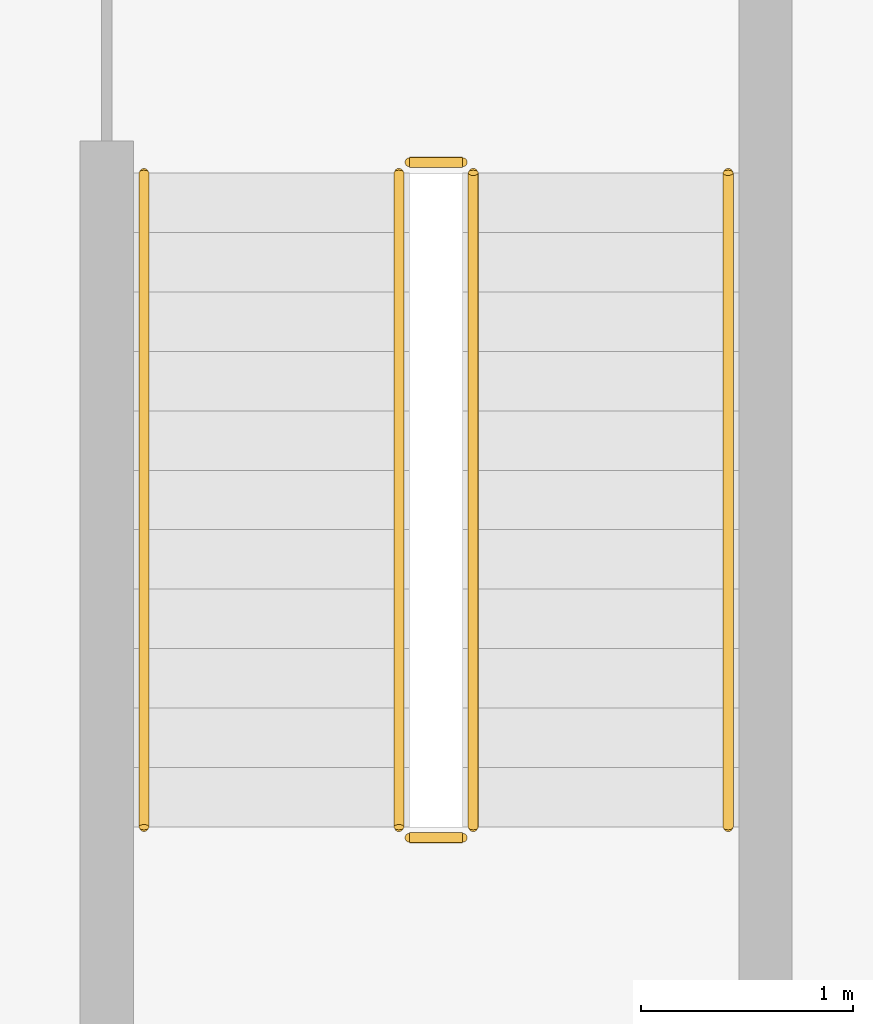
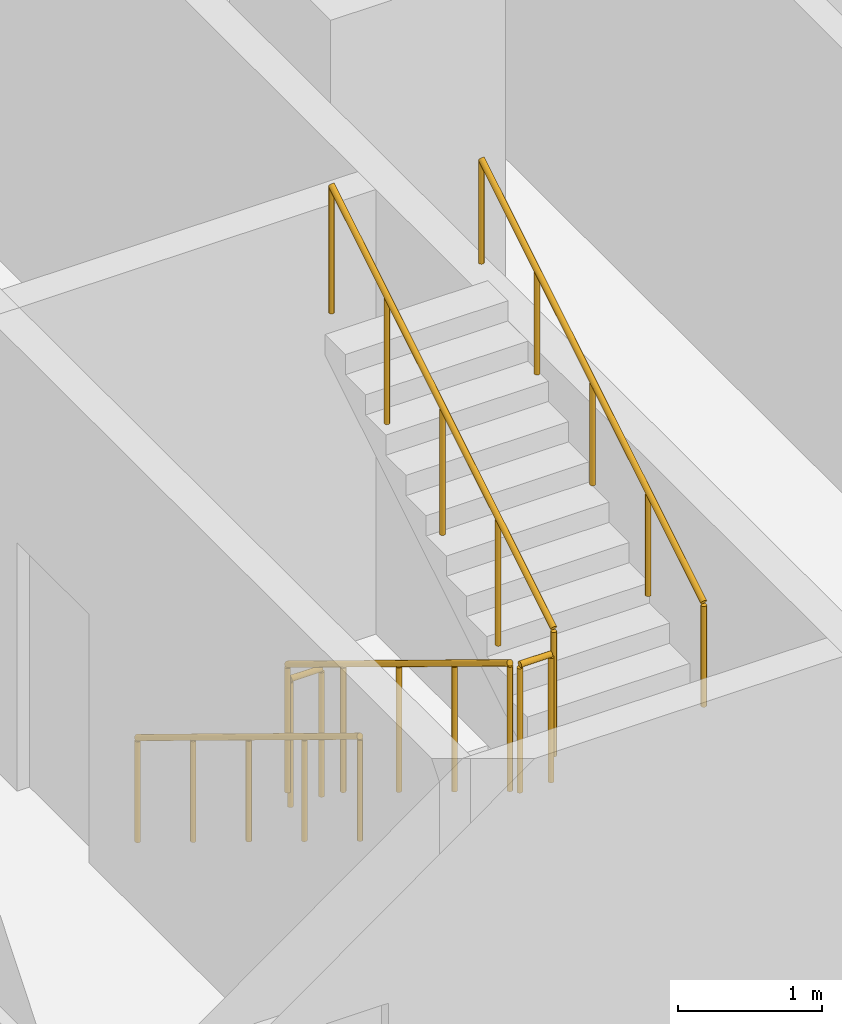
# One storey, part 24 of 29: 6 railings.
"""IFC4 building model written with IfcOpenShell, lengths in metres."""

from ifc_helpers import new_model, si_unit, direction, frame, origin, origin_2d, place, context, subcontext, project, spatial, circle, extrude, material, type_object, element, save


model = new_model("IFC4")

# Units and contexts
model_context = context("Model", 3, precision=1e-05, world=origin(), true_north=direction((0.0, 1.0)))
body_context = subcontext(model_context, "Body", "Model", "MODEL_VIEW")
ifc_project = project(units=[si_unit("LENGTHUNIT", "METRE"), si_unit("AREAUNIT", "SQUARE_METRE"), si_unit("VOLUMEUNIT", "CUBIC_METRE"), si_unit("PLANEANGLEUNIT", "RADIAN"), si_unit("MASSUNIT", "GRAM", prefix="KILO")], contexts=[model_context])

# Site, building, storey
site_placement = place(None, origin())
site = spatial("IfcSite", under=ifc_project, at=site_placement, CompositionType="ELEMENT")
building_placement = place(site_placement, origin())
building = spatial("IfcBuilding", under=site, at=building_placement, Name="Mahtab Terrace Research Tower", CompositionType="ELEMENT")
storey_placement = place(building_placement, frame((0.0, 0.0, 97.10009765625)))
storey = spatial("IfcBuildingStorey", under=building, at=storey_placement, Name="L22", CompositionType="ELEMENT", Elevation=97.10009765625)

# Railings
ifc_material = material(Name="Stainless steel AISI 304", Category="steel")
railing_type_1 = type_object("IfcRailingType", Name="Stair guard 1100", PredefinedType="GUARDRAIL", material=ifc_material)
railing_1_placement = place(storey_placement, frame((2.949951171875, -4.175048828125, 0.170654296875)))
element("IfcRailing", 1, at=railing_1_placement, inside=storey, type_object=railing_type_1, Name="L22 ST2 stair guard 1", PredefinedType="GUARDRAIL", context=body_context, shape_type="SweptSolid", body=[
    extrude(circle(Radius=0.02392578125, at=origin_2d()), frame((0.0, 0.0, 1.076171875), z_axis=(0.0, -0.853647949592, 0.520850437417), x_axis=(1.0, 0.0, 0.0)), (0.0, 0.0, 1.0), 3.60791015625),
    extrude(circle(Radius=0.02099609375, at=origin_2d()), origin(), (0.0, 0.0, 1.0), 1.052001953125),
    extrude(circle(Radius=0.02099609375, at=origin_2d()), frame((0.0, -0.77001953125, 0.4697265625)), (0.0, 0.0, 1.0), 1.052001953125),
    extrude(circle(Radius=0.02099609375, at=origin_2d()), frame((0.0, -1.5400390625, 0.939453125)), (0.0, 0.0, 1.0), 1.052001953125),
    extrude(circle(Radius=0.02099609375, at=origin_2d()), frame((0.0, -2.309814453125, 1.409423828125)), (0.0, 0.0, 1.0), 1.052001953125),
    extrude(circle(Radius=0.02099609375, at=origin_2d()), frame((0.0, -3.079833984375, 1.879150390625)), (0.0, 0.0, 1.0), 1.052001953125),
])
railing_2_placement = place(storey_placement, frame((3.0, -7.304931640625, 2.0498046875)))
element("IfcRailing", 2, at=railing_2_placement, inside=storey, type_object=railing_type_1, Name="L22 ST2 stair guard 2", PredefinedType="GUARDRAIL", context=body_context, shape_type="SweptSolid", body=[
    extrude(circle(Radius=0.02392578125, at=origin_2d()), frame((0.0, 0.0, 1.076171875), z_axis=(1.0, 0.0, 0.0), x_axis=(0.0, 1.0, 0.0)), (0.0, 0.0, 1.0), 0.25),
    extrude(circle(Radius=0.02099609375, at=origin_2d()), origin(), (0.0, 0.0, 1.0), 1.052001953125),
    extrude(circle(Radius=0.02099609375, at=origin_2d()), frame((0.25, 0.0, 0.0)), (0.0, 0.0, 1.0), 1.052001953125),
])
railing_3_placement = place(storey_placement, frame((3.300048828125, -7.2548828125, 2.220703125)))
element("IfcRailing", 3, at=railing_3_placement, inside=storey, type_object=railing_type_1, Name="L22 ST2 stair guard 3", PredefinedType="GUARDRAIL", context=body_context, shape_type="SweptSolid", body=[
    extrude(circle(Radius=0.02392578125, at=origin_2d()), frame((0.0, 0.0, 1.076171875), z_axis=(0.0, 0.853647949592, 0.520850437417), x_axis=(-1.0, 0.0, 0.0)), (0.0, 0.0, 1.0), 3.60791015625),
    extrude(circle(Radius=0.02099609375, at=origin_2d()), origin(), (0.0, 0.0, 1.0), 1.052001953125),
    extrude(circle(Radius=0.02099609375, at=origin_2d()), frame((0.0, 0.77001953125, 0.4697265625)), (0.0, 0.0, 1.0), 1.052001953125),
    extrude(circle(Radius=0.02099609375, at=origin_2d()), frame((0.0, 1.5400390625, 0.939453125)), (0.0, 0.0, 1.0), 1.052001953125),
    extrude(circle(Radius=0.02099609375, at=origin_2d()), frame((0.0, 2.309814453125, 1.409423828125)), (0.0, 0.0, 1.0), 1.052001953125),
    extrude(circle(Radius=0.02099609375, at=origin_2d()), frame((0.0, 3.079833984375, 1.879150390625)), (0.0, 0.0, 1.0), 1.052001953125),
])
railing_4_placement = place(storey_placement, frame((3.0, -4.125, 0.0)))
element("IfcRailing", 4, at=railing_4_placement, inside=storey, type_object=railing_type_1, Name="L22 ST2 stair guard 4", PredefinedType="GUARDRAIL", context=body_context, shape_type="SweptSolid", body=[
    extrude(circle(Radius=0.02392578125, at=origin_2d()), frame((0.0, 0.0, 1.076171875), z_axis=(1.0, 0.0, 0.0), x_axis=(0.0, 1.0, 0.0)), (0.0, 0.0, 1.0), 0.25),
    extrude(circle(Radius=0.02099609375, at=origin_2d()), origin(), (0.0, 0.0, 1.0), 1.052001953125),
    extrude(circle(Radius=0.02099609375, at=origin_2d()), frame((0.25, 0.0, 0.0)), (0.0, 0.0, 1.0), 1.052001953125),
])
railing_type_2 = type_object("IfcRailingType", Name="Stair handrail 900", PredefinedType="HANDRAIL", material=ifc_material)
railing_5_placement = place(storey_placement, frame((1.75, -4.175048828125, 0.170654296875)))
element("IfcRailing", 5, at=railing_5_placement, inside=storey, type_object=railing_type_2, Name="L22 ST2 stair handrail 1", PredefinedType="HANDRAIL", context=body_context, shape_type="SweptSolid", body=[
    extrude(circle(Radius=0.02392578125, at=origin_2d()), frame((0.0, 0.0, 0.8759765625), z_axis=(0.0, -0.853647949592, 0.520850437417), x_axis=(1.0, 0.0, 0.0)), (0.0, 0.0, 1.0), 3.60791015625),
    extrude(circle(Radius=0.02099609375, at=origin_2d()), origin(), (0.0, 0.0, 1.0), 0.851806640625),
    extrude(circle(Radius=0.02099609375, at=origin_2d()), frame((0.0, -0.77001953125, 0.4697265625)), (0.0, 0.0, 1.0), 0.851806640625),
    extrude(circle(Radius=0.02099609375, at=origin_2d()), frame((0.0, -1.5400390625, 0.939453125)), (0.0, 0.0, 1.0), 0.851806640625),
    extrude(circle(Radius=0.02099609375, at=origin_2d()), frame((0.0, -2.309814453125, 1.409423828125)), (0.0, 0.0, 1.0), 0.851806640625),
    extrude(circle(Radius=0.02099609375, at=origin_2d()), frame((0.0, -3.079833984375, 1.879150390625)), (0.0, 0.0, 1.0), 0.851806640625),
])
railing_6_placement = place(storey_placement, frame((4.5, -7.2548828125, 2.220703125)))
element("IfcRailing", 6, at=railing_6_placement, inside=storey, type_object=railing_type_2, Name="L22 ST2 stair handrail 2", PredefinedType="HANDRAIL", context=body_context, shape_type="SweptSolid", body=[
    extrude(circle(Radius=0.02392578125, at=origin_2d()), frame((0.0, 0.0, 0.8759765625), z_axis=(0.0, 0.853647949592, 0.520850437417), x_axis=(-1.0, 0.0, 0.0)), (0.0, 0.0, 1.0), 3.60791015625),
    extrude(circle(Radius=0.02099609375, at=origin_2d()), origin(), (0.0, 0.0, 1.0), 0.851806640625),
    extrude(circle(Radius=0.02099609375, at=origin_2d()), frame((0.0, 0.77001953125, 0.4697265625)), (0.0, 0.0, 1.0), 0.851806640625),
    extrude(circle(Radius=0.02099609375, at=origin_2d()), frame((0.0, 1.5400390625, 0.939453125)), (0.0, 0.0, 1.0), 0.851806640625),
    extrude(circle(Radius=0.02099609375, at=origin_2d()), frame((0.0, 2.309814453125, 1.409423828125)), (0.0, 0.0, 1.0), 0.851806640625),
    extrude(circle(Radius=0.02099609375, at=origin_2d()), frame((0.0, 3.079833984375, 1.879150390625)), (0.0, 0.0, 1.0), 0.851806640625),
])

save(model, "model.ifc")
